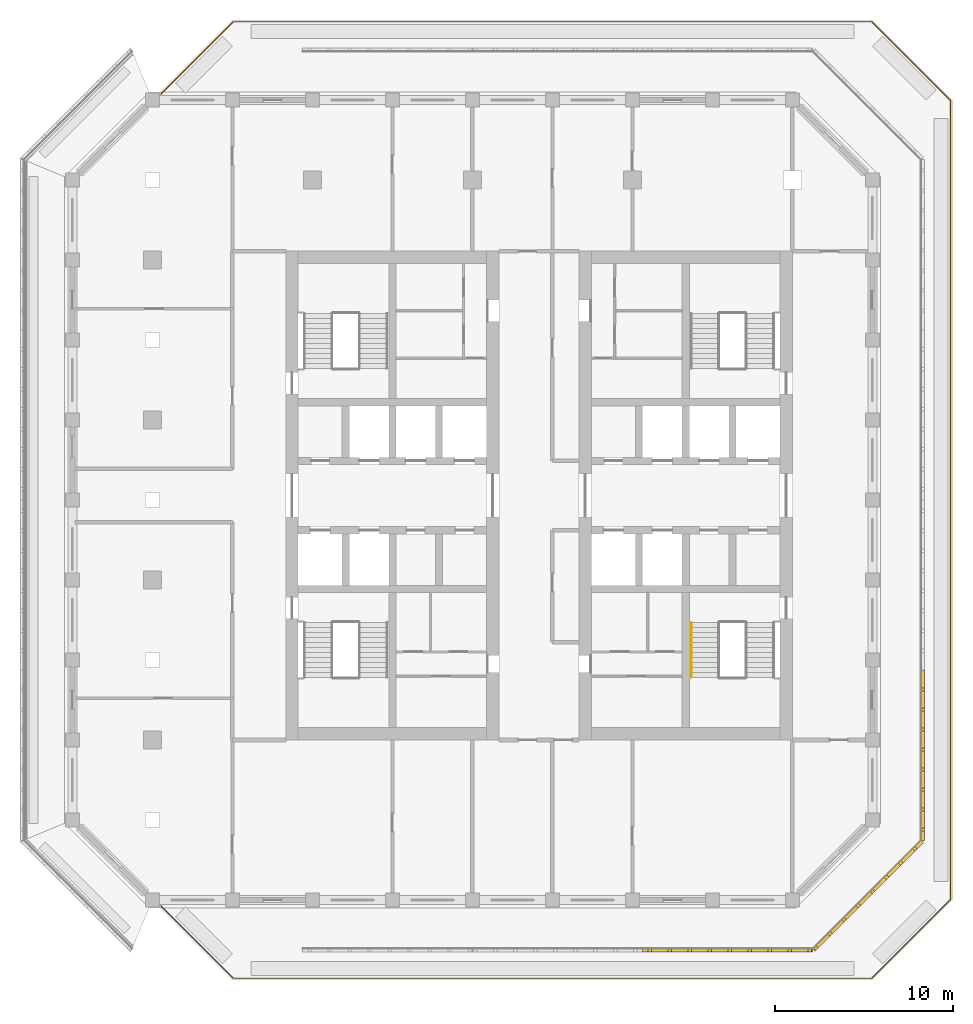
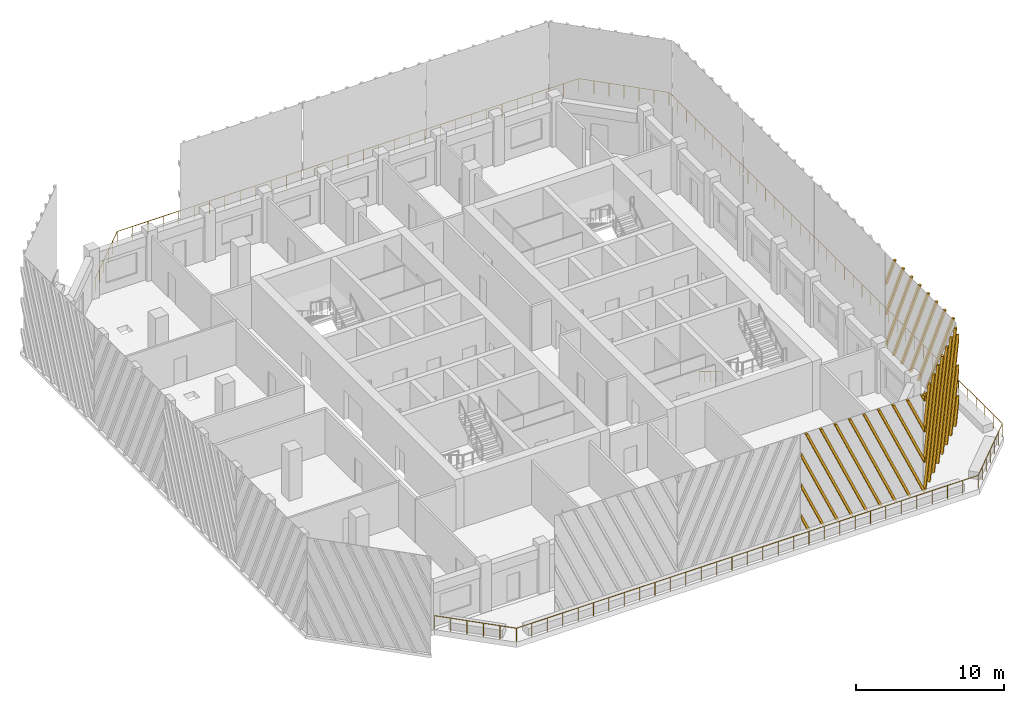
# One storey, part 10 of 14: 3 shading devices, 2 railings.
"""IFC4 building model written with IfcOpenShell, lengths in metres."""

from ifc_helpers import new_model, si_unit, direction, frame, origin, origin_2d, place, context, subcontext, project, spatial, polyline, circle, outline, extrude, source, transform, mapped, material, type_object, element, save


model = new_model("IFC4")

# Units and contexts
model_context = context("Model", 3, precision=1e-05, world=origin(), true_north=direction((0.0, 1.0)))
body_context = subcontext(model_context, "Body", "Model", "MODEL_VIEW")
ifc_project = project(units=[si_unit("LENGTHUNIT", "METRE"), si_unit("AREAUNIT", "SQUARE_METRE"), si_unit("VOLUMEUNIT", "CUBIC_METRE"), si_unit("PLANEANGLEUNIT", "RADIAN"), si_unit("MASSUNIT", "GRAM", prefix="KILO")], contexts=[model_context])

# Site, building, storey
site_placement = place(None, origin())
site = spatial("IfcSite", under=ifc_project, at=site_placement, CompositionType="ELEMENT")
building_placement = place(site_placement, origin())
building = spatial("IfcBuilding", under=site, at=building_placement, Name="Corbel Stack Research Tower", CompositionType="ELEMENT")
storey_placement = place(building_placement, frame((0.0, 0.0, 266.300048828125)))
storey = spatial("IfcBuildingStorey", under=building, at=storey_placement, Name="L60", CompositionType="ELEMENT", Elevation=266.300048828125)

# Railings
ifc_material_1 = material(Name="Steel S355", Category="steel")
railing_type_1 = type_object("IfcRailingType", Name="Stair handrail 900", PredefinedType="HANDRAIL", material=ifc_material_1)
railing_1_placement = place(storey_placement, frame((12.300048828125, -2.39990234375, 0.1708984375)))
element("IfcRailing", 1, at=railing_1_placement, inside=storey, type_object=railing_type_1, Name="L60 ST-E1 stair handrail 1", PredefinedType="HANDRAIL", context=body_context, shape_type="SweptSolid", body=[
    extrude(circle(Radius=0.02392578125, at=origin_2d()), frame((0.0, 0.0, 0.8759765625), z_axis=(0.0, -0.853666305674, 0.52082035152), x_axis=(1.0, 0.0, 0.0)), (0.0, 0.0, 1.0), 3.608154296875),
    extrude(circle(Radius=0.02099609375, at=origin_2d()), origin(), (0.0, 0.0, 1.0), 0.851806640625),
    extrude(circle(Radius=0.02099609375, at=origin_2d()), frame((0.0, -0.77001953125, 0.4697265625)), (0.0, 0.0, 1.0), 0.851806640625),
    extrude(circle(Radius=0.02099609375, at=origin_2d()), frame((0.0, -1.5400390625, 0.939453125)), (0.0, 0.0, 1.0), 0.851806640625),
    extrude(circle(Radius=0.02099609375, at=origin_2d()), frame((0.0, -2.31005859375, 1.409423828125)), (0.0, 0.0, 1.0), 0.851806640625),
    extrude(circle(Radius=0.02099609375, at=origin_2d()), frame((0.0, -3.080078125, 1.879150390625)), (0.0, 0.0, 1.0), 0.851806640625),
])
ifc_material_2 = material(Name="Powder-coated steel guard", Category="steel")
railing_type_2 = type_object("IfcRailingType", Name="Steel and glass guard 1100", PredefinedType="GUARDRAIL", material=ifc_material_2)
railing_2_placement = place(storey_placement, frame((-17.523193359375, 27.33544921875, 0.0)))
element("IfcRailing", 2, at=railing_2_placement, inside=storey, type_object=railing_type_2, Name="Terrace guard L60", PredefinedType="GUARDRAIL", context=body_context, shape_type="SweptSolid", body=[
    extrude(circle(Radius=0.02392578125, at=origin_2d()), frame((0.0, 0.0, 1.076171875), z_axis=(0.707128017219, 0.707085544517, 0.0), x_axis=(-0.707085544517, 0.707128017219, 0.0)), (0.0, 0.0, 1.0), 5.748291015625),
    extrude(circle(Radius=0.02392578125, at=origin_2d()), frame((4.064697265625, 4.064453125, 1.076171875), z_axis=(1.0, 0.0, 0.0), x_axis=(0.0, 1.0, 0.0)), (0.0, 0.0, 1.0), 35.9169921875),
    extrude(circle(Radius=0.02392578125, at=origin_2d()), frame((39.981689453125, 4.064453125, 1.076171875), z_axis=(0.707106781187, -0.707106781187, 0.0), x_axis=(0.707106781187, 0.707106781187, 0.0)), (0.0, 0.0, 1.0), 6.281005859375),
    extrude(circle(Radius=0.02392578125, at=origin_2d()), frame((44.423095703125, -0.376953125, 1.076171875), z_axis=(0.0, -1.0, 0.0), x_axis=(1.0, 0.0, 0.0)), (0.0, 0.0, 1.0), 44.9169921875),
    extrude(circle(Radius=0.02392578125, at=origin_2d()), frame((44.423095703125, -45.2939453125, 1.076171875), z_axis=(-0.707106781187, -0.707106781187, 0.0), x_axis=(0.707106781187, -0.707106781187, 0.0)), (0.0, 0.0, 1.0), 6.281005859375),
    extrude(circle(Radius=0.02392578125, at=origin_2d()), frame((39.981689453125, -49.7353515625, 1.076171875), z_axis=(-1.0, 0.0, 0.0), x_axis=(0.0, -1.0, 0.0)), (0.0, 0.0, 1.0), 35.9169921875),
    extrude(circle(Radius=0.02392578125, at=origin_2d()), frame((4.064697265625, -49.7353515625, 1.076171875), z_axis=(-0.707128017219, 0.707085544517, 0.0), x_axis=(-0.707085544517, -0.707128017219, 0.0)), (0.0, 0.0, 1.0), 5.748291015625),
    extrude(circle(Radius=0.02099609375, at=origin_2d()), origin(), (0.0, 0.0, 1.0), 1.052001953125),
    extrude(circle(Radius=0.02099609375, at=origin_2d()), frame((0.81298828125, 0.81298828125, 0.0)), (0.0, 0.0, 1.0), 1.052001953125),
    extrude(circle(Radius=0.02099609375, at=origin_2d()), frame((1.6259765625, 1.625732421875, 0.0)), (0.0, 0.0, 1.0), 1.052001953125),
    extrude(circle(Radius=0.02099609375, at=origin_2d()), frame((2.438720703125, 2.438720703125, 0.0)), (0.0, 0.0, 1.0), 1.052001953125),
    extrude(circle(Radius=0.02099609375, at=origin_2d()), frame((3.251708984375, 3.25146484375, 0.0)), (0.0, 0.0, 1.0), 1.052001953125),
    extrude(circle(Radius=0.02099609375, at=origin_2d()), frame((4.064697265625, 4.064453125, 0.0)), (0.0, 0.0, 1.0), 1.052001953125),
    extrude(circle(Radius=0.02099609375, at=origin_2d()), frame((5.261962890625, 4.064453125, 0.0)), (0.0, 0.0, 1.0), 1.052001953125),
    extrude(circle(Radius=0.02099609375, at=origin_2d()), frame((6.459228515625, 4.064453125, 0.0)), (0.0, 0.0, 1.0), 1.052001953125),
    extrude(circle(Radius=0.02099609375, at=origin_2d()), frame((7.656494140625, 4.064453125, 0.0)), (0.0, 0.0, 1.0), 1.052001953125),
    extrude(circle(Radius=0.02099609375, at=origin_2d()), frame((8.853515625, 4.064453125, 0.0)), (0.0, 0.0, 1.0), 1.052001953125),
    extrude(circle(Radius=0.02099609375, at=origin_2d()), frame((10.05078125, 4.064453125, 0.0)), (0.0, 0.0, 1.0), 1.052001953125),
    extrude(circle(Radius=0.02099609375, at=origin_2d()), frame((11.248046875, 4.064453125, 0.0)), (0.0, 0.0, 1.0), 1.052001953125),
    extrude(circle(Radius=0.02099609375, at=origin_2d()), frame((12.4453125, 4.064453125, 0.0)), (0.0, 0.0, 1.0), 1.052001953125),
    extrude(circle(Radius=0.02099609375, at=origin_2d()), frame((13.642578125, 4.064453125, 0.0)), (0.0, 0.0, 1.0), 1.052001953125),
    extrude(circle(Radius=0.02099609375, at=origin_2d()), frame((14.83984375, 4.064453125, 0.0)), (0.0, 0.0, 1.0), 1.052001953125),
    extrude(circle(Radius=0.02099609375, at=origin_2d()), frame((16.037109375, 4.064453125, 0.0)), (0.0, 0.0, 1.0), 1.052001953125),
    extrude(circle(Radius=0.02099609375, at=origin_2d()), frame((17.234375, 4.064453125, 0.0)), (0.0, 0.0, 1.0), 1.052001953125),
    extrude(circle(Radius=0.02099609375, at=origin_2d()), frame((18.431396484375, 4.064453125, 0.0)), (0.0, 0.0, 1.0), 1.052001953125),
    extrude(circle(Radius=0.02099609375, at=origin_2d()), frame((19.628662109375, 4.064453125, 0.0)), (0.0, 0.0, 1.0), 1.052001953125),
    extrude(circle(Radius=0.02099609375, at=origin_2d()), frame((20.825927734375, 4.064453125, 0.0)), (0.0, 0.0, 1.0), 1.052001953125),
    extrude(circle(Radius=0.02099609375, at=origin_2d()), frame((22.023193359375, 4.064453125, 0.0)), (0.0, 0.0, 1.0), 1.052001953125),
    extrude(circle(Radius=0.02099609375, at=origin_2d()), frame((23.220458984375, 4.064453125, 0.0)), (0.0, 0.0, 1.0), 1.052001953125),
    extrude(circle(Radius=0.02099609375, at=origin_2d()), frame((24.417724609375, 4.064453125, 0.0)), (0.0, 0.0, 1.0), 1.052001953125),
    extrude(circle(Radius=0.02099609375, at=origin_2d()), frame((25.614990234375, 4.064453125, 0.0)), (0.0, 0.0, 1.0), 1.052001953125),
    extrude(circle(Radius=0.02099609375, at=origin_2d()), frame((26.81201171875, 4.064453125, 0.0)), (0.0, 0.0, 1.0), 1.052001953125),
    extrude(circle(Radius=0.02099609375, at=origin_2d()), frame((28.00927734375, 4.064453125, 0.0)), (0.0, 0.0, 1.0), 1.052001953125),
    extrude(circle(Radius=0.02099609375, at=origin_2d()), frame((29.20654296875, 4.064453125, 0.0)), (0.0, 0.0, 1.0), 1.052001953125),
    extrude(circle(Radius=0.02099609375, at=origin_2d()), frame((30.40380859375, 4.064453125, 0.0)), (0.0, 0.0, 1.0), 1.052001953125),
    extrude(circle(Radius=0.02099609375, at=origin_2d()), frame((31.60107421875, 4.064453125, 0.0)), (0.0, 0.0, 1.0), 1.052001953125),
    extrude(circle(Radius=0.02099609375, at=origin_2d()), frame((32.79833984375, 4.064453125, 0.0)), (0.0, 0.0, 1.0), 1.052001953125),
    extrude(circle(Radius=0.02099609375, at=origin_2d()), frame((33.99560546875, 4.064453125, 0.0)), (0.0, 0.0, 1.0), 1.052001953125),
    extrude(circle(Radius=0.02099609375, at=origin_2d()), frame((35.19287109375, 4.064453125, 0.0)), (0.0, 0.0, 1.0), 1.052001953125),
    extrude(circle(Radius=0.02099609375, at=origin_2d()), frame((36.389892578125, 4.064453125, 0.0)), (0.0, 0.0, 1.0), 1.052001953125),
    extrude(circle(Radius=0.02099609375, at=origin_2d()), frame((37.587158203125, 4.064453125, 0.0)), (0.0, 0.0, 1.0), 1.052001953125),
    extrude(circle(Radius=0.02099609375, at=origin_2d()), frame((38.784423828125, 4.064453125, 0.0)), (0.0, 0.0, 1.0), 1.052001953125),
    extrude(circle(Radius=0.02099609375, at=origin_2d()), frame((39.981689453125, 4.064453125, 0.0)), (0.0, 0.0, 1.0), 1.052001953125),
    extrude(circle(Radius=0.02099609375, at=origin_2d()), frame((40.721923828125, 3.32421875, 0.0)), (0.0, 0.0, 1.0), 1.052001953125),
    extrude(circle(Radius=0.02099609375, at=origin_2d()), frame((41.462158203125, 2.583984375, 0.0)), (0.0, 0.0, 1.0), 1.052001953125),
    extrude(circle(Radius=0.02099609375, at=origin_2d()), frame((42.202392578125, 1.84375, 0.0)), (0.0, 0.0, 1.0), 1.052001953125),
    extrude(circle(Radius=0.02099609375, at=origin_2d()), frame((42.942626953125, 1.103515625, 0.0)), (0.0, 0.0, 1.0), 1.052001953125),
    extrude(circle(Radius=0.02099609375, at=origin_2d()), frame((43.682861328125, 0.36328125, 0.0)), (0.0, 0.0, 1.0), 1.052001953125),
    extrude(circle(Radius=0.02099609375, at=origin_2d()), frame((44.423095703125, -0.376953125, 0.0)), (0.0, 0.0, 1.0), 1.052001953125),
    extrude(circle(Radius=0.02099609375, at=origin_2d()), frame((44.423095703125, -1.55908203125, 0.0)), (0.0, 0.0, 1.0), 1.052001953125),
    extrude(circle(Radius=0.02099609375, at=origin_2d()), frame((44.423095703125, -2.740966796875, 0.0)), (0.0, 0.0, 1.0), 1.052001953125),
    extrude(circle(Radius=0.02099609375, at=origin_2d()), frame((44.423095703125, -3.923095703125, 0.0)), (0.0, 0.0, 1.0), 1.052001953125),
    extrude(circle(Radius=0.02099609375, at=origin_2d()), frame((44.423095703125, -5.10498046875, 0.0)), (0.0, 0.0, 1.0), 1.052001953125),
    extrude(circle(Radius=0.02099609375, at=origin_2d()), frame((44.423095703125, -6.287109375, 0.0)), (0.0, 0.0, 1.0), 1.052001953125),
    extrude(circle(Radius=0.02099609375, at=origin_2d()), frame((44.423095703125, -7.468994140625, 0.0)), (0.0, 0.0, 1.0), 1.052001953125),
    extrude(circle(Radius=0.02099609375, at=origin_2d()), frame((44.423095703125, -8.651123046875, 0.0)), (0.0, 0.0, 1.0), 1.052001953125),
    extrude(circle(Radius=0.02099609375, at=origin_2d()), frame((44.423095703125, -9.833251953125, 0.0)), (0.0, 0.0, 1.0), 1.052001953125),
    extrude(circle(Radius=0.02099609375, at=origin_2d()), frame((44.423095703125, -11.01513671875, 0.0)), (0.0, 0.0, 1.0), 1.052001953125),
    extrude(circle(Radius=0.02099609375, at=origin_2d()), frame((44.423095703125, -12.197265625, 0.0)), (0.0, 0.0, 1.0), 1.052001953125),
    extrude(circle(Radius=0.02099609375, at=origin_2d()), frame((44.423095703125, -13.379150390625, 0.0)), (0.0, 0.0, 1.0), 1.052001953125),
    extrude(circle(Radius=0.02099609375, at=origin_2d()), frame((44.423095703125, -14.561279296875, 0.0)), (0.0, 0.0, 1.0), 1.052001953125),
    extrude(circle(Radius=0.02099609375, at=origin_2d()), frame((44.423095703125, -15.743408203125, 0.0)), (0.0, 0.0, 1.0), 1.052001953125),
    extrude(circle(Radius=0.02099609375, at=origin_2d()), frame((44.423095703125, -16.92529296875, 0.0)), (0.0, 0.0, 1.0), 1.052001953125),
    extrude(circle(Radius=0.02099609375, at=origin_2d()), frame((44.423095703125, -18.107421875, 0.0)), (0.0, 0.0, 1.0), 1.052001953125),
    extrude(circle(Radius=0.02099609375, at=origin_2d()), frame((44.423095703125, -19.289306640625, 0.0)), (0.0, 0.0, 1.0), 1.052001953125),
    extrude(circle(Radius=0.02099609375, at=origin_2d()), frame((44.423095703125, -20.471435546875, 0.0)), (0.0, 0.0, 1.0), 1.052001953125),
    extrude(circle(Radius=0.02099609375, at=origin_2d()), frame((44.423095703125, -21.6533203125, 0.0)), (0.0, 0.0, 1.0), 1.052001953125),
    extrude(circle(Radius=0.02099609375, at=origin_2d()), frame((44.423095703125, -22.83544921875, 0.0)), (0.0, 0.0, 1.0), 1.052001953125),
    extrude(circle(Radius=0.02099609375, at=origin_2d()), frame((44.423095703125, -24.017578125, 0.0)), (0.0, 0.0, 1.0), 1.052001953125),
    extrude(circle(Radius=0.02099609375, at=origin_2d()), frame((44.423095703125, -25.199462890625, 0.0)), (0.0, 0.0, 1.0), 1.052001953125),
    extrude(circle(Radius=0.02099609375, at=origin_2d()), frame((44.423095703125, -26.381591796875, 0.0)), (0.0, 0.0, 1.0), 1.052001953125),
    extrude(circle(Radius=0.02099609375, at=origin_2d()), frame((44.423095703125, -27.5634765625, 0.0)), (0.0, 0.0, 1.0), 1.052001953125),
    extrude(circle(Radius=0.02099609375, at=origin_2d()), frame((44.423095703125, -28.74560546875, 0.0)), (0.0, 0.0, 1.0), 1.052001953125),
    extrude(circle(Radius=0.02099609375, at=origin_2d()), frame((44.423095703125, -29.927490234375, 0.0)), (0.0, 0.0, 1.0), 1.052001953125),
    extrude(circle(Radius=0.02099609375, at=origin_2d()), frame((44.423095703125, -31.109619140625, 0.0)), (0.0, 0.0, 1.0), 1.052001953125),
    extrude(circle(Radius=0.02099609375, at=origin_2d()), frame((44.423095703125, -32.291748046875, 0.0)), (0.0, 0.0, 1.0), 1.052001953125),
    extrude(circle(Radius=0.02099609375, at=origin_2d()), frame((44.423095703125, -33.4736328125, 0.0)), (0.0, 0.0, 1.0), 1.052001953125),
    extrude(circle(Radius=0.02099609375, at=origin_2d()), frame((44.423095703125, -34.65576171875, 0.0)), (0.0, 0.0, 1.0), 1.052001953125),
    extrude(circle(Radius=0.02099609375, at=origin_2d()), frame((44.423095703125, -35.837646484375, 0.0)), (0.0, 0.0, 1.0), 1.052001953125),
    extrude(circle(Radius=0.02099609375, at=origin_2d()), frame((44.423095703125, -37.019775390625, 0.0)), (0.0, 0.0, 1.0), 1.052001953125),
    extrude(circle(Radius=0.02099609375, at=origin_2d()), frame((44.423095703125, -38.201904296875, 0.0)), (0.0, 0.0, 1.0), 1.052001953125),
    extrude(circle(Radius=0.02099609375, at=origin_2d()), frame((44.423095703125, -39.3837890625, 0.0)), (0.0, 0.0, 1.0), 1.052001953125),
    extrude(circle(Radius=0.02099609375, at=origin_2d()), frame((44.423095703125, -40.56591796875, 0.0)), (0.0, 0.0, 1.0), 1.052001953125),
    extrude(circle(Radius=0.02099609375, at=origin_2d()), frame((44.423095703125, -41.747802734375, 0.0)), (0.0, 0.0, 1.0), 1.052001953125),
    extrude(circle(Radius=0.02099609375, at=origin_2d()), frame((44.423095703125, -42.929931640625, 0.0)), (0.0, 0.0, 1.0), 1.052001953125),
    extrude(circle(Radius=0.02099609375, at=origin_2d()), frame((44.423095703125, -44.11181640625, 0.0)), (0.0, 0.0, 1.0), 1.052001953125),
    extrude(circle(Radius=0.02099609375, at=origin_2d()), frame((44.423095703125, -45.2939453125, 0.0)), (0.0, 0.0, 1.0), 1.052001953125),
    extrude(circle(Radius=0.02099609375, at=origin_2d()), frame((43.682861328125, -46.0341796875, 0.0)), (0.0, 0.0, 1.0), 1.052001953125),
    extrude(circle(Radius=0.02099609375, at=origin_2d()), frame((42.942626953125, -46.7744140625, 0.0)), (0.0, 0.0, 1.0), 1.052001953125),
    extrude(circle(Radius=0.02099609375, at=origin_2d()), frame((42.202392578125, -47.5146484375, 0.0)), (0.0, 0.0, 1.0), 1.052001953125),
    extrude(circle(Radius=0.02099609375, at=origin_2d()), frame((41.462158203125, -48.2548828125, 0.0)), (0.0, 0.0, 1.0), 1.052001953125),
    extrude(circle(Radius=0.02099609375, at=origin_2d()), frame((40.721923828125, -48.9951171875, 0.0)), (0.0, 0.0, 1.0), 1.052001953125),
    extrude(circle(Radius=0.02099609375, at=origin_2d()), frame((39.981689453125, -49.7353515625, 0.0)), (0.0, 0.0, 1.0), 1.052001953125),
    extrude(circle(Radius=0.02099609375, at=origin_2d()), frame((38.784423828125, -49.7353515625, 0.0)), (0.0, 0.0, 1.0), 1.052001953125),
    extrude(circle(Radius=0.02099609375, at=origin_2d()), frame((37.587158203125, -49.7353515625, 0.0)), (0.0, 0.0, 1.0), 1.052001953125),
    extrude(circle(Radius=0.02099609375, at=origin_2d()), frame((36.389892578125, -49.7353515625, 0.0)), (0.0, 0.0, 1.0), 1.052001953125),
    extrude(circle(Radius=0.02099609375, at=origin_2d()), frame((35.19287109375, -49.7353515625, 0.0)), (0.0, 0.0, 1.0), 1.052001953125),
    extrude(circle(Radius=0.02099609375, at=origin_2d()), frame((33.99560546875, -49.7353515625, 0.0)), (0.0, 0.0, 1.0), 1.052001953125),
    extrude(circle(Radius=0.02099609375, at=origin_2d()), frame((32.79833984375, -49.7353515625, 0.0)), (0.0, 0.0, 1.0), 1.052001953125),
    extrude(circle(Radius=0.02099609375, at=origin_2d()), frame((31.60107421875, -49.7353515625, 0.0)), (0.0, 0.0, 1.0), 1.052001953125),
    extrude(circle(Radius=0.02099609375, at=origin_2d()), frame((30.40380859375, -49.7353515625, 0.0)), (0.0, 0.0, 1.0), 1.052001953125),
    extrude(circle(Radius=0.02099609375, at=origin_2d()), frame((29.20654296875, -49.7353515625, 0.0)), (0.0, 0.0, 1.0), 1.052001953125),
    extrude(circle(Radius=0.02099609375, at=origin_2d()), frame((28.00927734375, -49.7353515625, 0.0)), (0.0, 0.0, 1.0), 1.052001953125),
    extrude(circle(Radius=0.02099609375, at=origin_2d()), frame((26.81201171875, -49.7353515625, 0.0)), (0.0, 0.0, 1.0), 1.052001953125),
    extrude(circle(Radius=0.02099609375, at=origin_2d()), frame((25.614990234375, -49.7353515625, 0.0)), (0.0, 0.0, 1.0), 1.052001953125),
    extrude(circle(Radius=0.02099609375, at=origin_2d()), frame((24.417724609375, -49.7353515625, 0.0)), (0.0, 0.0, 1.0), 1.052001953125),
    extrude(circle(Radius=0.02099609375, at=origin_2d()), frame((23.220458984375, -49.7353515625, 0.0)), (0.0, 0.0, 1.0), 1.052001953125),
    extrude(circle(Radius=0.02099609375, at=origin_2d()), frame((22.023193359375, -49.7353515625, 0.0)), (0.0, 0.0, 1.0), 1.052001953125),
    extrude(circle(Radius=0.02099609375, at=origin_2d()), frame((20.825927734375, -49.7353515625, 0.0)), (0.0, 0.0, 1.0), 1.052001953125),
    extrude(circle(Radius=0.02099609375, at=origin_2d()), frame((19.628662109375, -49.7353515625, 0.0)), (0.0, 0.0, 1.0), 1.052001953125),
    extrude(circle(Radius=0.02099609375, at=origin_2d()), frame((18.431396484375, -49.7353515625, 0.0)), (0.0, 0.0, 1.0), 1.052001953125),
    extrude(circle(Radius=0.02099609375, at=origin_2d()), frame((17.234375, -49.7353515625, 0.0)), (0.0, 0.0, 1.0), 1.052001953125),
    extrude(circle(Radius=0.02099609375, at=origin_2d()), frame((16.037109375, -49.7353515625, 0.0)), (0.0, 0.0, 1.0), 1.052001953125),
    extrude(circle(Radius=0.02099609375, at=origin_2d()), frame((14.83984375, -49.7353515625, 0.0)), (0.0, 0.0, 1.0), 1.052001953125),
    extrude(circle(Radius=0.02099609375, at=origin_2d()), frame((13.642578125, -49.7353515625, 0.0)), (0.0, 0.0, 1.0), 1.052001953125),
    extrude(circle(Radius=0.02099609375, at=origin_2d()), frame((12.4453125, -49.7353515625, 0.0)), (0.0, 0.0, 1.0), 1.052001953125),
    extrude(circle(Radius=0.02099609375, at=origin_2d()), frame((11.248046875, -49.7353515625, 0.0)), (0.0, 0.0, 1.0), 1.052001953125),
    extrude(circle(Radius=0.02099609375, at=origin_2d()), frame((10.05078125, -49.7353515625, 0.0)), (0.0, 0.0, 1.0), 1.052001953125),
    extrude(circle(Radius=0.02099609375, at=origin_2d()), frame((8.853515625, -49.7353515625, 0.0)), (0.0, 0.0, 1.0), 1.052001953125),
    extrude(circle(Radius=0.02099609375, at=origin_2d()), frame((7.656494140625, -49.7353515625, 0.0)), (0.0, 0.0, 1.0), 1.052001953125),
    extrude(circle(Radius=0.02099609375, at=origin_2d()), frame((6.459228515625, -49.7353515625, 0.0)), (0.0, 0.0, 1.0), 1.052001953125),
    extrude(circle(Radius=0.02099609375, at=origin_2d()), frame((5.261962890625, -49.7353515625, 0.0)), (0.0, 0.0, 1.0), 1.052001953125),
    extrude(circle(Radius=0.02099609375, at=origin_2d()), frame((4.064697265625, -49.7353515625, 0.0)), (0.0, 0.0, 1.0), 1.052001953125),
    extrude(circle(Radius=0.02099609375, at=origin_2d()), frame((3.251708984375, -48.92236328125, 0.0)), (0.0, 0.0, 1.0), 1.052001953125),
    extrude(circle(Radius=0.02099609375, at=origin_2d()), frame((2.438720703125, -48.109619140625, 0.0)), (0.0, 0.0, 1.0), 1.052001953125),
    extrude(circle(Radius=0.02099609375, at=origin_2d()), frame((1.6259765625, -47.296630859375, 0.0)), (0.0, 0.0, 1.0), 1.052001953125),
    extrude(circle(Radius=0.02099609375, at=origin_2d()), frame((0.81298828125, -46.48388671875, 0.0)), (0.0, 0.0, 1.0), 1.052001953125),
    extrude(circle(Radius=0.02099609375, at=origin_2d()), frame((0.0, -45.6708984375, 0.0)), (0.0, 0.0, 1.0), 1.052001953125),
])

# Shading devices
ifc_material_3 = material(Name="Precast terracotta", Category="masonry")
shading_device_type = type_object("IfcShadingDeviceType", Name="Terracotta screen panel", PredefinedType="USERDEFINED", material=ifc_material_3)
shared_shape_1 = source(origin(), body_context, "Body", "SweptSolid", [
    extrude(outline(polyline([(0.66455078125, 0.0), (0.0, 1.49267578125), (0.0, 1.06591796875), (0.474609375, 0.0), (0.66455078125, 0.0)])), frame((0.0, 0.0, 0.0), z_axis=(0.0, -1.0, 0.0), x_axis=(1.0, 0.0, 0.0)), (0.0, 0.0, 1.0), 0.179931640625),
    extrude(outline(polyline([(1.78955078125, 0.0), (0.0, 4.019287109375), (0.0, 3.592529296875), (1.599609375, 0.0), (1.78955078125, 0.0)])), frame((0.0, 0.0, 0.0), z_axis=(0.0, -1.0, 0.0), x_axis=(1.0, 0.0, 0.0)), (0.0, 0.0, 1.0), 0.179931640625),
    extrude(outline(polyline([(2.91455078125, 0.0), (0.0, 6.546142578125), (0.0, 6.119384765625), (2.724609375, 0.0), (2.91455078125, 0.0)])), frame((0.0, 0.0, 0.0), z_axis=(0.0, -1.0, 0.0), x_axis=(1.0, 0.0, 0.0)), (0.0, 0.0, 1.0), 0.179931640625),
    extrude(outline(polyline([(4.03955078125, 0.0), (0.5, 7.949951171875), (0.31005859375, 7.949951171875), (3.849609375, 0.0), (4.03955078125, 0.0)])), frame((0.0, 0.0, 0.0), z_axis=(0.0, -1.0, 0.0), x_axis=(1.0, 0.0, 0.0)), (0.0, 0.0, 1.0), 0.179931640625),
    extrude(outline(polyline([(5.16455078125, 0.0), (1.625, 7.949951171875), (1.43505859375, 7.949951171875), (4.974609375, 0.0), (5.16455078125, 0.0)])), frame((0.0, 0.0, 0.0), z_axis=(0.0, -1.0, 0.0), x_axis=(1.0, 0.0, 0.0)), (0.0, 0.0, 1.0), 0.179931640625),
    extrude(outline(polyline([(6.28955078125, 0.0), (2.75, 7.949951171875), (2.56005859375, 7.949951171875), (6.099609375, 0.0), (6.28955078125, 0.0)])), frame((0.0, 0.0, 0.0), z_axis=(0.0, -1.0, 0.0), x_axis=(1.0, 0.0, 0.0)), (0.0, 0.0, 1.0), 0.179931640625),
    extrude(outline(polyline([(7.41455078125, 0.0), (3.875, 7.949951171875), (3.68505859375, 7.949951171875), (7.224609375, 0.0), (7.41455078125, 0.0)])), frame((0.0, 0.0, 0.0), z_axis=(0.0, -1.0, 0.0), x_axis=(1.0, 0.0, 0.0)), (0.0, 0.0, 1.0), 0.179931640625),
    extrude(outline(polyline([(8.53955078125, 0.0), (5.0, 7.949951171875), (4.81005859375, 7.949951171875), (8.349609375, 0.0), (8.53955078125, 0.0)])), frame((0.0, 0.0, 0.0), z_axis=(0.0, -1.0, 0.0), x_axis=(1.0, 0.0, 0.0)), (0.0, 0.0, 1.0), 0.179931640625),
    extrude(outline(polyline([(9.569580078125, 0.0), (9.569580078125, 0.21337890625), (6.125, 7.949951171875), (5.93505859375, 7.949951171875), (9.474609375, 0.0), (9.569580078125, 0.0)])), frame((0.0, 0.0, 0.0), z_axis=(0.0, -1.0, 0.0), x_axis=(1.0, 0.0, 0.0)), (0.0, 0.0, 1.0), 0.179931640625),
    extrude(outline(polyline([(7.25, 7.949951171875), (7.06005859375, 7.949951171875), (9.569580078125, 2.3134765625), (9.569580078125, 2.740234375), (7.25, 7.949951171875)])), frame((0.0, 0.0, 0.0), z_axis=(0.0, -1.0, 0.0), x_axis=(1.0, 0.0, 0.0)), (0.0, 0.0, 1.0), 0.179931640625),
    extrude(outline(polyline([(8.375, 7.949951171875), (8.18505859375, 7.949951171875), (9.569580078125, 4.840087890625), (9.569580078125, 5.26708984375), (8.375, 7.949951171875)])), frame((0.0, 0.0, 0.0), z_axis=(0.0, -1.0, 0.0), x_axis=(1.0, 0.0, 0.0)), (0.0, 0.0, 1.0), 0.179931640625),
    extrude(outline(polyline([(9.5, 7.949951171875), (9.31005859375, 7.949951171875), (9.569580078125, 7.366943359375), (9.569580078125, 7.793701171875), (9.5, 7.949951171875)])), frame((0.0, 0.0, 0.0), z_axis=(0.0, -1.0, 0.0), x_axis=(1.0, 0.0, 0.0)), (0.0, 0.0, 1.0), 0.179931640625),
])
shading_device_1_placement = place(storey_placement, frame((9.569580078125, -20.75, 0.0), z_axis=(0.0, 0.0, 1.0), x_axis=(1.0, 0.0, 0.0)))
element("IfcShadingDevice", 3, at=shading_device_1_placement, inside=storey, type_object=shading_device_type, Name="Terracotta screen L60 S4", ObjectType="SCREEN", PredefinedType="USERDEFINED", context=body_context, shape_type="MappedRepresentation", body=[
    mapped(shared_shape_1, transform((0.0, 0.0, 0.0))),
])
shared_shape_2 = source(origin(), body_context, "Body", "SweptSolid", [
    extrude(outline(polyline([(0.259521484375, 7.949951171875), (0.069580078125, 7.949951171875), (0.0, 7.793701171875), (0.0, 7.366943359375), (0.259521484375, 7.949951171875)])), frame((0.0, 0.0, 0.0), z_axis=(0.0, -1.0, 0.0), x_axis=(1.0, 0.0, 0.0)), (0.0, 0.0, 1.0), 0.179931640625),
    extrude(outline(polyline([(1.384521484375, 7.949951171875), (1.194580078125, 7.949951171875), (0.0, 5.26708984375), (0.0, 4.840087890625), (1.384521484375, 7.949951171875)])), frame((0.0, 0.0, 0.0), z_axis=(0.0, -1.0, 0.0), x_axis=(1.0, 0.0, 0.0)), (0.0, 0.0, 1.0), 0.179931640625),
    extrude(outline(polyline([(2.509521484375, 7.949951171875), (2.319580078125, 7.949951171875), (0.0, 2.740234375), (0.0, 2.3134765625), (2.509521484375, 7.949951171875)])), frame((0.0, 0.0, 0.0), z_axis=(0.0, -1.0, 0.0), x_axis=(1.0, 0.0, 0.0)), (0.0, 0.0, 1.0), 0.179931640625),
    extrude(outline(polyline([(0.094970703125, 0.0), (3.634521484375, 7.949951171875), (3.444580078125, 7.949951171875), (0.0, 0.21337890625), (0.0, 0.0), (0.094970703125, 0.0)])), frame((0.0, 0.0, 0.0), z_axis=(0.0, -1.0, 0.0), x_axis=(1.0, 0.0, 0.0)), (0.0, 0.0, 1.0), 0.179931640625),
    extrude(outline(polyline([(1.219970703125, 0.0), (4.759521484375, 7.949951171875), (4.569580078125, 7.949951171875), (1.030029296875, 0.0), (1.219970703125, 0.0)])), frame((0.0, 0.0, 0.0), z_axis=(0.0, -1.0, 0.0), x_axis=(1.0, 0.0, 0.0)), (0.0, 0.0, 1.0), 0.179931640625),
    extrude(outline(polyline([(2.344970703125, 0.0), (5.884521484375, 7.949951171875), (5.694580078125, 7.949951171875), (2.155029296875, 0.0), (2.344970703125, 0.0)])), frame((0.0, 0.0, 0.0), z_axis=(0.0, -1.0, 0.0), x_axis=(1.0, 0.0, 0.0)), (0.0, 0.0, 1.0), 0.179931640625),
    extrude(outline(polyline([(3.469970703125, 0.0), (7.009521484375, 7.949951171875), (6.819580078125, 7.949951171875), (3.280029296875, 0.0), (3.469970703125, 0.0)])), frame((0.0, 0.0, 0.0), z_axis=(0.0, -1.0, 0.0), x_axis=(1.0, 0.0, 0.0)), (0.0, 0.0, 1.0), 0.179931640625),
    extrude(outline(polyline([(4.594970703125, 0.0), (8.134521484375, 7.949951171875), (7.944580078125, 7.949951171875), (4.405029296875, 0.0), (4.594970703125, 0.0)])), frame((0.0, 0.0, 0.0), z_axis=(0.0, -1.0, 0.0), x_axis=(1.0, 0.0, 0.0)), (0.0, 0.0, 1.0), 0.179931640625),
    extrude(outline(polyline([(5.719970703125, 0.0), (8.64208984375, 6.563232421875), (8.64208984375, 6.989990234375), (5.530029296875, 0.0), (5.719970703125, 0.0)])), frame((0.0, 0.0, 0.0), z_axis=(0.0, -1.0, 0.0), x_axis=(1.0, 0.0, 0.0)), (0.0, 0.0, 1.0), 0.179931640625),
    extrude(outline(polyline([(6.844970703125, 0.0), (8.64208984375, 4.036376953125), (8.64208984375, 4.463134765625), (6.655029296875, 0.0), (6.844970703125, 0.0)])), frame((0.0, 0.0, 0.0), z_axis=(0.0, -1.0, 0.0), x_axis=(1.0, 0.0, 0.0)), (0.0, 0.0, 1.0), 0.179931640625),
    extrude(outline(polyline([(7.969970703125, 0.0), (8.64208984375, 1.509521484375), (8.64208984375, 1.936279296875), (7.780029296875, 0.0), (7.969970703125, 0.0)])), frame((0.0, 0.0, 0.0), z_axis=(0.0, -1.0, 0.0), x_axis=(1.0, 0.0, 0.0)), (0.0, 0.0, 1.0), 0.179931640625),
])
shading_device_2_placement = place(storey_placement, frame((19.13916015625, -20.75, 0.0), z_axis=(0.0, 0.0, 1.0), x_axis=(0.707106781187, 0.707106781187, 0.0)))
element("IfcShadingDevice", 4, at=shading_device_2_placement, inside=storey, type_object=shading_device_type, Name="Terracotta screen L60 SE1", ObjectType="SCREEN", PredefinedType="USERDEFINED", context=body_context, shape_type="MappedRepresentation", body=[
    mapped(shared_shape_2, transform((0.0, 0.0, 0.0))),
])
shared_shape_3 = source(origin(), body_context, "Body", "SweptSolid", [
    extrude(outline(polyline([(0.862060546875, 0.0), (0.0, 1.936279296875), (0.0, 1.509521484375), (0.672119140625, 0.0), (0.862060546875, 0.0)])), frame((0.0, 0.0, 0.0), z_axis=(0.0, -1.0, 0.0), x_axis=(1.0, 0.0, 0.0)), (0.0, 0.0, 1.0), 0.179931640625),
    extrude(outline(polyline([(1.987060546875, 0.0), (0.0, 4.463134765625), (0.0, 4.036376953125), (1.797119140625, 0.0), (1.987060546875, 0.0)])), frame((0.0, 0.0, 0.0), z_axis=(0.0, -1.0, 0.0), x_axis=(1.0, 0.0, 0.0)), (0.0, 0.0, 1.0), 0.179931640625),
    extrude(outline(polyline([(3.112060546875, 0.0), (0.0, 6.989990234375), (0.0, 6.563232421875), (2.922119140625, 0.0), (3.112060546875, 0.0)])), frame((0.0, 0.0, 0.0), z_axis=(0.0, -1.0, 0.0), x_axis=(1.0, 0.0, 0.0)), (0.0, 0.0, 1.0), 0.179931640625),
    extrude(outline(polyline([(4.237060546875, 0.0), (0.697509765625, 7.949951171875), (0.507568359375, 7.949951171875), (4.047119140625, 0.0), (4.237060546875, 0.0)])), frame((0.0, 0.0, 0.0), z_axis=(0.0, -1.0, 0.0), x_axis=(1.0, 0.0, 0.0)), (0.0, 0.0, 1.0), 0.179931640625),
    extrude(outline(polyline([(5.362060546875, 0.0), (1.822509765625, 7.949951171875), (1.632568359375, 7.949951171875), (5.172119140625, 0.0), (5.362060546875, 0.0)])), frame((0.0, 0.0, 0.0), z_axis=(0.0, -1.0, 0.0), x_axis=(1.0, 0.0, 0.0)), (0.0, 0.0, 1.0), 0.179931640625),
    extrude(outline(polyline([(6.487060546875, 0.0), (2.947509765625, 7.949951171875), (2.757568359375, 7.949951171875), (6.297119140625, 0.0), (6.487060546875, 0.0)])), frame((0.0, 0.0, 0.0), z_axis=(0.0, -1.0, 0.0), x_axis=(1.0, 0.0, 0.0)), (0.0, 0.0, 1.0), 0.179931640625),
    extrude(outline(polyline([(7.612060546875, 0.0), (4.072509765625, 7.949951171875), (3.882568359375, 7.949951171875), (7.422119140625, 0.0), (7.612060546875, 0.0)])), frame((0.0, 0.0, 0.0), z_axis=(0.0, -1.0, 0.0), x_axis=(1.0, 0.0, 0.0)), (0.0, 0.0, 1.0), 0.179931640625),
    extrude(outline(polyline([(8.737060546875, 0.0), (5.197509765625, 7.949951171875), (5.007568359375, 7.949951171875), (8.547119140625, 0.0), (8.737060546875, 0.0)])), frame((0.0, 0.0, 0.0), z_axis=(0.0, -1.0, 0.0), x_axis=(1.0, 0.0, 0.0)), (0.0, 0.0, 1.0), 0.179931640625),
    extrude(outline(polyline([(6.322509765625, 7.949951171875), (6.132568359375, 7.949951171875), (9.569580078125, 0.23046875), (9.569580078125, 0.6572265625), (6.322509765625, 7.949951171875)])), frame((0.0, 0.0, 0.0), z_axis=(0.0, -1.0, 0.0), x_axis=(1.0, 0.0, 0.0)), (0.0, 0.0, 1.0), 0.179931640625),
    extrude(outline(polyline([(7.447509765625, 7.949951171875), (7.257568359375, 7.949951171875), (9.569580078125, 2.757080078125), (9.569580078125, 3.18408203125), (7.447509765625, 7.949951171875)])), frame((0.0, 0.0, 0.0), z_axis=(0.0, -1.0, 0.0), x_axis=(1.0, 0.0, 0.0)), (0.0, 0.0, 1.0), 0.179931640625),
    extrude(outline(polyline([(8.572509765625, 7.949951171875), (8.382568359375, 7.949951171875), (9.569580078125, 5.283935546875), (9.569580078125, 5.710693359375), (8.572509765625, 7.949951171875)])), frame((0.0, 0.0, 0.0), z_axis=(0.0, -1.0, 0.0), x_axis=(1.0, 0.0, 0.0)), (0.0, 0.0, 1.0), 0.179931640625),
])
shading_device_3_placement = place(storey_placement, frame((25.25, -14.63916015625, 0.0), z_axis=(0.0, 0.0, 1.0), x_axis=(0.0, 1.0, 0.0)))
element("IfcShadingDevice", 5, at=shading_device_3_placement, inside=storey, type_object=shading_device_type, Name="Terracotta screen L60 E1", ObjectType="SCREEN", PredefinedType="USERDEFINED", context=body_context, shape_type="MappedRepresentation", body=[
    mapped(shared_shape_3, transform((0.0, 0.0, 0.0))),
])

save(model, "model.ifc")
